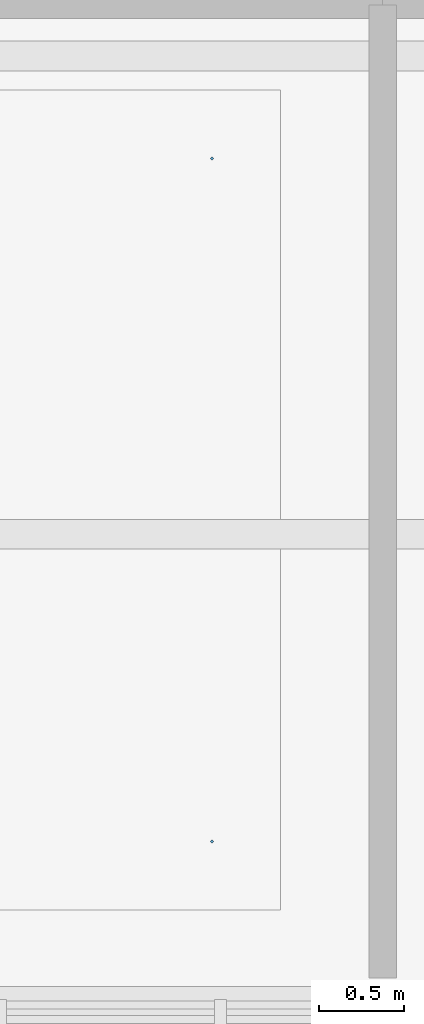
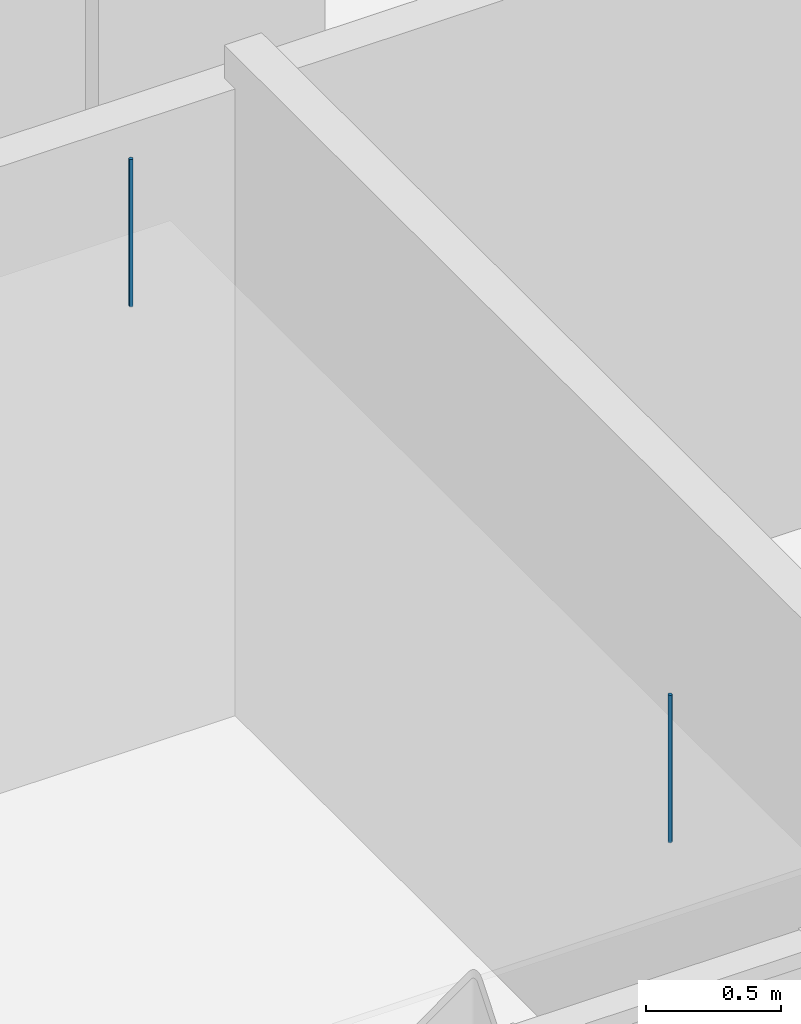
# One storey, part 17 of 19: 2 discrete accessories.
"""IFC4 building model written with IfcOpenShell, lengths in metres."""

from ifc_helpers import new_model, si_unit, direction, frame, origin, origin_2d, place, context, subcontext, project, spatial, circle, extrude, material, type_object, element, save


model = new_model("IFC4")

# Units and contexts
model_context = context("Model", 3, precision=1e-05, world=origin(), true_north=direction((0.0, 1.0)))
body_context = subcontext(model_context, "Body", "Model", "MODEL_VIEW")
ifc_project = project(units=[si_unit("LENGTHUNIT", "METRE"), si_unit("AREAUNIT", "SQUARE_METRE"), si_unit("VOLUMEUNIT", "CUBIC_METRE"), si_unit("PLANEANGLEUNIT", "RADIAN"), si_unit("MASSUNIT", "GRAM", prefix="KILO")], contexts=[model_context])

# Site, building, storey
site_placement = place(None, origin())
site = spatial("IfcSite", under=ifc_project, at=site_placement, CompositionType="ELEMENT")
building_placement = place(site_placement, origin())
building = spatial("IfcBuilding", under=site, at=building_placement, Name="Yukiwa Park Conservatory and Herbarium", CompositionType="ELEMENT")
storey_placement = place(building_placement, frame((0.0, 0.0, 46.800048828125)))
storey = spatial("IfcBuildingStorey", under=building, at=storey_placement, Name="L12", CompositionType="ELEMENT", Elevation=46.800048828125)

# Discrete accessories
ifc_material = material(Name="Steel Q235B", Category="steel")
discrete_accessory_type = type_object("IfcDiscreteAccessoryType", Name="ACC-CEILING-HANGER", PredefinedType="BRACKET", material=ifc_material)
for number, where, z_axis, x_axis, name in (
    (1, (143.10009765625, 87.39990234375, 2.675048828125), (0.0, 0.0, 1.0), (1.0, 0.0, 0.0), "Ceiling suspension hanger rod 26"),
    (2, (143.10009765625, 91.39990234375, 2.675048828125), (0.0, 0.0, 1.0), (1.0, 0.0, 0.0), "Ceiling suspension hanger rod 27"),
):
    element("IfcDiscreteAccessory", number, at=place(storey_placement, frame(where, z_axis=z_axis, x_axis=x_axis)), inside=storey, type_object=discrete_accessory_type, Name=name, PredefinedType="BRACKET", context=body_context, shape_type="SweptSolid", body=[
        extrude(circle(Radius=0.008056640625, at=origin_2d()), origin(), (0.0, 0.0, 1.0), 0.66796875),
    ])

save(model, "model.ifc")
